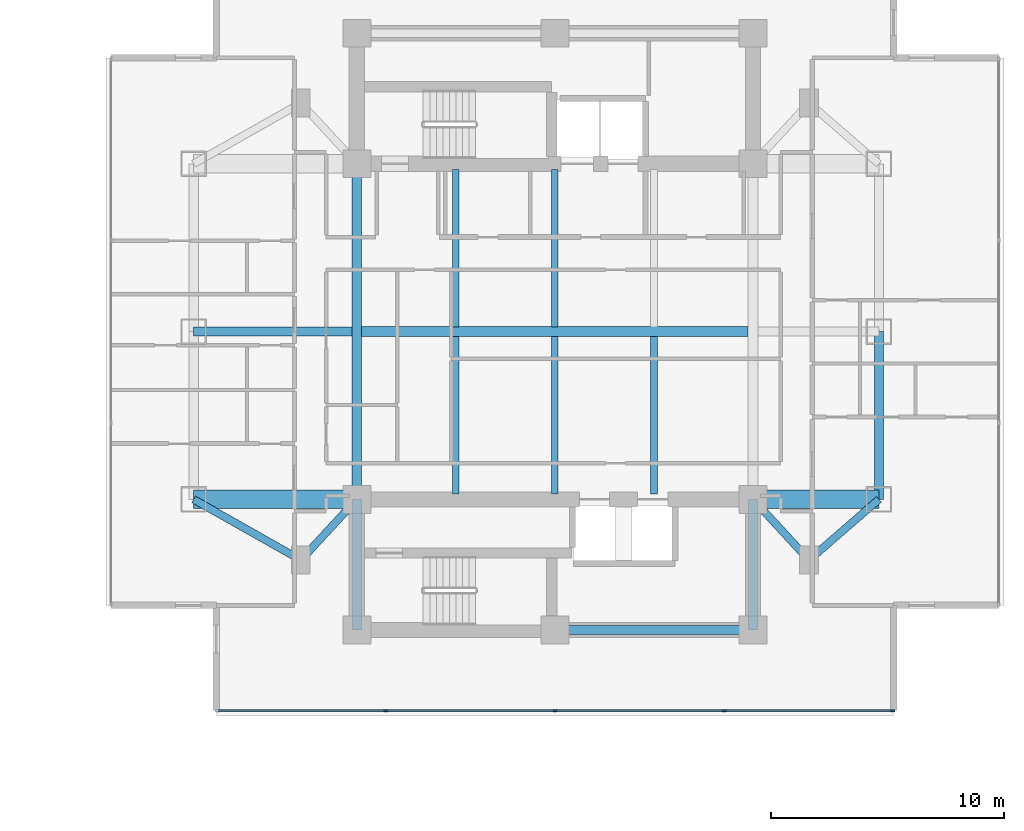
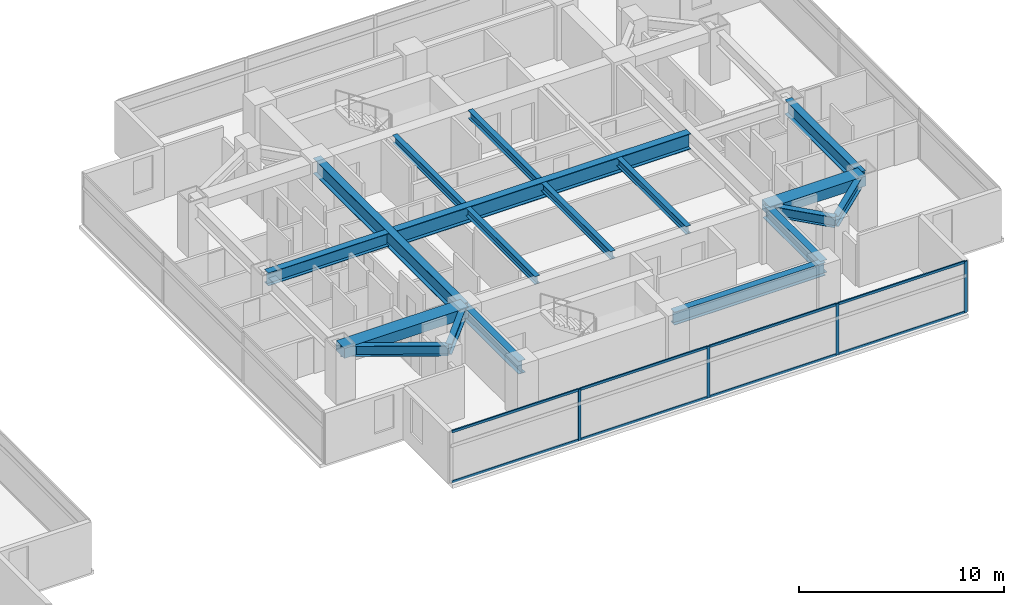
# One storey, part 9 of 26: 18 beams, 12 members, 1 element without a shape of its own.
"""IFC4 building model written with IfcOpenShell, lengths in metres."""

from ifc_helpers import new_model, si_unit, direction, frame, origin, origin_2d, place, context, subcontext, project, spatial, rectangle, i_section, extrude, material, material_profile, profile_set, type_object, element, aggregate, save


model = new_model("IFC4")

# Units and contexts
model_context = context("Model", 3, precision=1e-05, world=origin(), true_north=direction((0.0, 1.0)))
body_context = subcontext(model_context, "Body", "Model", "MODEL_VIEW")
ifc_project = project(units=[si_unit("LENGTHUNIT", "METRE"), si_unit("AREAUNIT", "SQUARE_METRE"), si_unit("VOLUMEUNIT", "CUBIC_METRE"), si_unit("PLANEANGLEUNIT", "RADIAN"), si_unit("MASSUNIT", "GRAM", prefix="KILO")], contexts=[model_context])

# Site, building, storey
site_placement = place(None, origin())
site = spatial("IfcSite", under=ifc_project, at=site_placement, CompositionType="ELEMENT")
building_placement = place(site_placement, origin())
building = spatial("IfcBuilding", under=site, at=building_placement, Name="Mirazonda Arch Towers", CompositionType="ELEMENT")
storey_placement = place(building_placement, frame((0.0, 0.0, 114.800048828125)))
storey = spatial("IfcBuildingStorey", under=building, at=storey_placement, Name="L32", CompositionType="ELEMENT", Elevation=114.800048828125)

# Beams
ifc_material_1 = material(Name="Steel ASTM A992 Grade 50", Category="steel")
ifc_material_profile_1 = material_profile(ifc_material_1, i_section(OverallWidth=0.39990234375, OverallDepth=0.85595703125, WebThickness=0.018310546875, FlangeThickness=0.029296875, at=origin_2d()), Name="W33X201")
ifc_profile_set_1 = profile_set([ifc_material_profile_1], Name="Steel ASTM A992 Grade 50")
beam_type_1 = type_object("IfcBeamType", Name="BM-EXT-W33X201", PredefinedType="USERDEFINED", material=ifc_profile_set_1)
beam_1_placement = place(storey_placement, frame((90.39990234375, 20.800048828125, 2.65185546875), z_axis=(0.0, 1.0, 0.0), x_axis=(-1.0, 0.0, 0.0)))
element("IfcBeam", 1, at=beam_1_placement, inside=storey, type_object=beam_type_1, Name="L32 Floor Beam BM-T2-L32-NS-E-20", ObjectType="GIRDER", PredefinedType="USERDEFINED", context=body_context, shape_type="SweptSolid", body=[
    extrude(i_section(OverallWidth=0.39990234375, OverallDepth=0.85595703125, WebThickness=0.018310546875, FlangeThickness=0.029296875, at=origin_2d()), origin(), (0.0, 0.0, 1.0), 7.199951171875),
])
ifc_material_profile_2 = material_profile(ifc_material_1, i_section(OverallWidth=0.280029296875, OverallDepth=0.462890625, WebThickness=0.0107421875, FlangeThickness=0.017333984375, at=origin_2d()), Name="W18X76")
ifc_profile_set_2 = profile_set([ifc_material_profile_2], Name="Steel ASTM A992 Grade 50")
beam_type_2 = type_object("IfcBeamType", Name="BM-INT-W18X76", PredefinedType="JOIST", material=ifc_profile_set_2)
for number, where, z_axis, x_axis, name in (
    (2, (72.25, 21.0400390625, 2.848388671875), (0.0, 1.0, 0.0), (-1.0, 0.0, 0.0), "L32 Floor Beam BM-T2-L32-J-722-20"),
    (3, (72.25, 28.205078125, 2.848388671875), (0.0, 1.0, 0.0), (-1.0, 0.0, 0.0), "L32 Floor Beam BM-T2-L32-J-722-28"),
    (4, (76.5, 21.0400390625, 2.848388671875), (0.0, 1.0, 0.0), (-1.0, 0.0, 0.0), "L32 Floor Beam BM-T2-L32-J-765-20"),
    (5, (76.5, 28.205078125, 2.848388671875), (0.0, 1.0, 0.0), (-1.0, 0.0, 0.0), "L32 Floor Beam BM-T2-L32-J-765-28"),
    (6, (80.75, 21.0400390625, 2.848388671875), (0.0, 1.0, 0.0), (-1.0, 0.0, 0.0), "L32 Floor Beam BM-T2-L32-J-807-20"),
):
    element("IfcBeam", number, at=place(storey_placement, frame(where, z_axis=z_axis, x_axis=x_axis)), inside=storey, type_object=beam_type_2, Name=name, PredefinedType="JOIST", context=body_context, shape_type="SweptSolid", body=[
        extrude(i_section(OverallWidth=0.280029296875, OverallDepth=0.462890625, WebThickness=0.0107421875, FlangeThickness=0.017333984375, at=origin_2d()), origin(), (0.0, 0.0, 1.0), 6.7548828125),
    ])
ifc_material_profile_3 = material_profile(ifc_material_1, i_section(OverallWidth=0.324951171875, OverallDepth=0.615966796875, WebThickness=0.013916015625, FlangeThickness=0.021484375, at=origin_2d()), Name="W24X117")
ifc_profile_set_3 = profile_set([ifc_material_profile_3], Name="Steel ASTM A992 Grade 50")
beam_type_3 = type_object("IfcBeamType", Name="BM-INT-W24X117", PredefinedType="BEAM", material=ifc_profile_set_3)
beam_2_placement = place(storey_placement, frame((65.60009765625, 18.199951171875, 2.77197265625), z_axis=(0.678251444854, 0.734829897019, 0.0), x_axis=(-0.734829897019, 0.678251444854, 0.0)))
element("IfcBeam", 7, at=beam_2_placement, inside=storey, type_object=beam_type_3, Name="L32 Floor Beam BM-T2-L32-PL-SW1", PredefinedType="BEAM", context=body_context, shape_type="SweptSolid", body=[
    extrude(i_section(OverallWidth=0.324951171875, OverallDepth=0.615966796875, WebThickness=0.013916015625, FlangeThickness=0.021484375, at=origin_2d()), origin(), (0.0, 0.0, 1.0), 3.538330078125),
])
beam_3_placement = place(storey_placement, frame((65.60009765625, 18.199951171875, 2.77197265625), z_axis=(-0.870559396632, 0.492063346467, 0.0), x_axis=(-0.492063346467, -0.870559396632, 0.0)))
element("IfcBeam", 8, at=beam_3_placement, inside=storey, type_object=beam_type_3, Name="L32 Floor Beam BM-T2-L32-PL-SW2", PredefinedType="BEAM", context=body_context, shape_type="SweptSolid", body=[
    extrude(i_section(OverallWidth=0.324951171875, OverallDepth=0.615966796875, WebThickness=0.013916015625, FlangeThickness=0.021484375, at=origin_2d()), origin(), (0.0, 0.0, 1.0), 5.2841796875),
])
beam_4_placement = place(storey_placement, frame((87.39990234375, 18.199951171875, 2.77197265625), z_axis=(-0.678251444854, 0.734829897019, 0.0), x_axis=(-0.734829897019, -0.678251444854, 0.0)))
element("IfcBeam", 9, at=beam_4_placement, inside=storey, type_object=beam_type_3, Name="L32 Floor Beam BM-T2-L32-PL-SE1", PredefinedType="BEAM", context=body_context, shape_type="SweptSolid", body=[
    extrude(i_section(OverallWidth=0.324951171875, OverallDepth=0.615966796875, WebThickness=0.013916015625, FlangeThickness=0.021484375, at=origin_2d()), origin(), (0.0, 0.0, 1.0), 3.538330078125),
])
beam_5_placement = place(storey_placement, frame((87.39990234375, 18.199951171875, 2.77197265625), z_axis=(0.755676908098, 0.654944585876, 0.0), x_axis=(-0.654944585876, 0.755676908098, 0.0)))
element("IfcBeam", 10, at=beam_5_placement, inside=storey, type_object=beam_type_3, Name="L32 Floor Beam BM-T2-L32-PL-SE2", PredefinedType="BEAM", context=body_context, shape_type="SweptSolid", body=[
    extrude(i_section(OverallWidth=0.324951171875, OverallDepth=0.615966796875, WebThickness=0.013916015625, FlangeThickness=0.021484375, at=origin_2d()), origin(), (0.0, 0.0, 1.0), 3.969970703125),
])
ifc_material_profile_4 = material_profile(ifc_material_1, i_section(OverallWidth=0.381103515625, OverallDepth=0.77294921875, WebThickness=0.0166015625, FlangeThickness=0.027099609375, at=origin_2d()), Name="W30X173")
ifc_profile_set_4 = profile_set([ifc_material_profile_4], Name="Steel ASTM A992 Grade 50")
beam_type_4 = type_object("IfcBeamType", Name="BM-INT-W30X173", PredefinedType="USERDEFINED", material=ifc_profile_set_4)
beam_6_placement = place(storey_placement, frame((76.5, 15.199951171875, 2.693359375), z_axis=(1.0, 0.0, 0.0), x_axis=(0.0, 1.0, 0.0)))
element("IfcBeam", 11, at=beam_6_placement, inside=storey, type_object=beam_type_4, Name="L32 Floor Beam BM-T2-L32-CS2", ObjectType="GIRDER", PredefinedType="USERDEFINED", context=body_context, shape_type="SweptSolid", body=[
    extrude(i_section(OverallWidth=0.381103515625, OverallDepth=0.77294921875, WebThickness=0.0166015625, FlangeThickness=0.027099609375, at=origin_2d()), origin(), (0.0, 0.0, 1.0), 8.5),
])
for number, where, z_axis, x_axis, name in (
    (12, (68.0, 15.199951171875, 2.693359375), (0.0, 1.0, 0.0), (-1.0, 0.0, 0.0), "L32 Floor Beam BM-T2-L32-CSW"),
    (13, (85.0, 15.199951171875, 2.693359375), (0.0, 1.0, 0.0), (-1.0, 0.0, 0.0), "L32 Floor Beam BM-T2-L32-CSE"),
):
    element("IfcBeam", number, at=place(storey_placement, frame(where, z_axis=z_axis, x_axis=x_axis)), inside=storey, type_object=beam_type_4, Name=name, ObjectType="GIRDER", PredefinedType="USERDEFINED", context=body_context, shape_type="SweptSolid", body=[
        extrude(i_section(OverallWidth=0.381103515625, OverallDepth=0.77294921875, WebThickness=0.0166015625, FlangeThickness=0.027099609375, at=origin_2d()), origin(), (0.0, 0.0, 1.0), 5.60009765625),
    ])
beam_7_placement = place(storey_placement, frame((61.0, 28.0, 2.693359375), z_axis=(1.0, 0.0, 0.0), x_axis=(0.0, 1.0, 0.0)))
element("IfcBeam", 14, at=beam_7_placement, inside=storey, type_object=beam_type_4, Name="L32 Floor Beam BM-T2-L32-GW2", ObjectType="GIRDER", PredefinedType="USERDEFINED", context=body_context, shape_type="SweptSolid", body=[
    extrude(i_section(OverallWidth=0.381103515625, OverallDepth=0.77294921875, WebThickness=0.0166015625, FlangeThickness=0.027099609375, at=origin_2d()), origin(), (0.0, 0.0, 1.0), 6.791015625),
])
ifc_material_profile_5 = material_profile(ifc_material_1, i_section(OverallWidth=0.41796875, OverallDepth=0.927001953125, WebThickness=0.019287109375, FlangeThickness=0.031982421875, at=origin_2d()), Name="W36X231")
ifc_profile_set_5 = profile_set([ifc_material_profile_5], Name="Steel ASTM A992 Grade 50")
beam_type_5 = type_object("IfcBeamType", Name="BM-INT-W36X231", PredefinedType="USERDEFINED", material=ifc_profile_set_5)
beam_8_placement = place(storey_placement, frame((68.208984375, 28.0, 2.616455078125), z_axis=(1.0, 0.0, 0.0), x_axis=(0.0, 1.0, 0.0)))
element("IfcBeam", 15, at=beam_8_placement, inside=storey, type_object=beam_type_5, Name="L32 Floor Beam BM-T2-L32-GC2", ObjectType="GIRDER", PredefinedType="USERDEFINED", context=body_context, shape_type="SweptSolid", body=[
    extrude(i_section(OverallWidth=0.41796875, OverallDepth=0.927001953125, WebThickness=0.019287109375, FlangeThickness=0.031982421875, at=origin_2d()), origin(), (0.0, 0.0, 1.0), 16.58203125),
])
beam_9_placement = place(storey_placement, frame((68.0, 20.800048828125, 2.616455078125), z_axis=(0.0, 1.0, 0.0), x_axis=(-1.0, 0.0, 0.0)))
element("IfcBeam", 16, at=beam_9_placement, inside=storey, type_object=beam_type_5, Name="L32 Floor Beam BM-T2-L32-NS-CW-FULL", ObjectType="GIRDER", PredefinedType="USERDEFINED", context=body_context, shape_type="SweptSolid", body=[
    extrude(i_section(OverallWidth=0.41796875, OverallDepth=0.927001953125, WebThickness=0.019287109375, FlangeThickness=0.031982421875, at=origin_2d()), origin(), (0.0, 0.0, 1.0), 14.39990234375),
])
ifc_material_2 = material(Name="Concrete C60/75", Category="concrete")
ifc_material_profile_6 = material_profile(ifc_material_2, rectangle(XDim=0.800048828125, YDim=0.60009765625, at=origin_2d()), Name="RCCB800x600")
ifc_profile_set_6 = profile_set([ifc_material_profile_6], Name="Concrete C60/75")
beam_type_6 = type_object("IfcBeamType", Name="CB-INT-RCCB800x600", PredefinedType="SPANDREL", material=ifc_profile_set_6)
beam_10_placement = place(storey_placement, frame((61.0, 20.800048828125, 2.780029296875), z_axis=(1.0, 0.0, 0.0), x_axis=(0.0, 1.0, 0.0)))
element("IfcBeam", 17, at=beam_10_placement, inside=storey, type_object=beam_type_6, Name="L32 Floor Beam CBC-T2-L32-SW", PredefinedType="SPANDREL", context=body_context, shape_type="SweptSolid", body=[
    extrude(rectangle(XDim=0.800048828125, YDim=0.60009765625, at=origin_2d()), origin(), (0.0, 0.0, 1.0), 7.0),
])
beam_11_placement = place(storey_placement, frame((85.0, 20.800048828125, 2.780029296875), z_axis=(1.0, 0.0, 0.0), x_axis=(0.0, 1.0, 0.0)))
element("IfcBeam", 18, at=beam_11_placement, inside=storey, type_object=beam_type_6, Name="L32 Floor Beam CBC-T2-L32-SE", PredefinedType="SPANDREL", context=body_context, shape_type="SweptSolid", body=[
    extrude(rectangle(XDim=0.800048828125, YDim=0.60009765625, at=origin_2d()), origin(), (0.0, 0.0, 1.0), 5.39990234375),
])

# Curtain wall, members
ifc_material_3 = material(Name="Anodised Aluminium and Low-E Glass", Category="aluminium")
curtain_wall_type = type_object("IfcCurtainWallType", Name="CW-HTL-UNIT", PredefinedType="NOTDEFINED", material=ifc_material_3)
curtain_wall_placement = place(storey_placement, origin())
curtain_wall = element("IfcCurtainWall", 19, at=curtain_wall_placement, inside=storey, type_object=curtain_wall_type, Name="L32 T2 S Facade CW-L32-T2-S", PredefinedType="NOTDEFINED")
ifc_material_4 = material(Name="Anodised Aluminium Alloy", Category="aluminium")
ifc_material_profile_7 = material_profile(ifc_material_4, rectangle(XDim=0.074951171875, YDim=0.1650390625, at=origin_2d()), Name="ALU-MULL-75x165")
ifc_profile_set_7 = profile_set([ifc_material_profile_7], Name="Anodised Aluminium Alloy")
member_type_1 = type_object("IfcMemberType", Name="MULL-CW-HTL-UNIT", PredefinedType="MULLION", material=ifc_profile_set_7)
member_1_placement = place(storey_placement, frame((90.99267578125, 11.736083984375, 0.0), z_axis=(0.0, 0.0, 1.0), x_axis=(0.0, -1.0, 0.0)))
member_1 = element("IfcMember", 20, at=member_1_placement, type_object=member_type_1, Name="CW-112 mullion 1", PredefinedType="MULLION", context=body_context, shape_type="SweptSolid", body=[
    extrude(rectangle(XDim=0.074951171875, YDim=0.1650390625, at=origin_2d()), origin(), (0.0, 0.0, 1.0), 3.06005859375),
])
member_2_placement = place(storey_placement, frame((83.76513671875, 11.736083984375, 0.0), z_axis=(0.0, 0.0, 1.0), x_axis=(0.0, -1.0, 0.0)))
member_2 = element("IfcMember", 21, at=member_2_placement, type_object=member_type_1, Name="CW-112 mullion 2", PredefinedType="MULLION", context=body_context, shape_type="SweptSolid", body=[
    extrude(rectangle(XDim=0.074951171875, YDim=0.1650390625, at=origin_2d()), origin(), (0.0, 0.0, 1.0), 3.06005859375),
])
member_3_placement = place(storey_placement, frame((76.5, 11.736083984375, 0.0), z_axis=(0.0, 0.0, 1.0), x_axis=(0.0, -1.0, 0.0)))
member_3 = element("IfcMember", 22, at=member_3_placement, type_object=member_type_1, Name="CW-112 mullion 3", PredefinedType="MULLION", context=body_context, shape_type="SweptSolid", body=[
    extrude(rectangle(XDim=0.074951171875, YDim=0.1650390625, at=origin_2d()), origin(), (0.0, 0.0, 1.0), 3.06005859375),
])
member_4_placement = place(storey_placement, frame((69.23486328125, 11.736083984375, 0.0), z_axis=(0.0, 0.0, 1.0), x_axis=(0.0, -1.0, 0.0)))
member_4 = element("IfcMember", 23, at=member_4_placement, type_object=member_type_1, Name="CW-112 mullion 4", PredefinedType="MULLION", context=body_context, shape_type="SweptSolid", body=[
    extrude(rectangle(XDim=0.074951171875, YDim=0.1650390625, at=origin_2d()), origin(), (0.0, 0.0, 1.0), 3.06005859375),
])
ifc_material_profile_8 = material_profile(ifc_material_4, rectangle(XDim=0.074951171875, YDim=0.14501953125, at=origin_2d()), Name="ALU-TRAN-75x145")
ifc_profile_set_8 = profile_set([ifc_material_profile_8], Name="Anodised Aluminium Alloy")
member_type_2 = type_object("IfcMemberType", Name="TRAN-CW-HTL-UNIT", PredefinedType="USERDEFINED", material=ifc_profile_set_8)
member_5_placement = place(storey_placement, frame((90.955078125, 11.736083984375, 0.037353515625), z_axis=(-1.0, 0.0, 0.0), x_axis=(0.0, -1.0, 0.0)))
member_5 = element("IfcMember", 24, at=member_5_placement, type_object=member_type_2, Name="CW-112 transom 1.1", ObjectType="TRANSOM", PredefinedType="USERDEFINED", context=body_context, shape_type="SweptSolid", body=[
    extrude(rectangle(XDim=0.074951171875, YDim=0.14501953125, at=origin_2d()), origin(), (0.0, 0.0, 1.0), 7.152587890625),
])
member_6_placement = place(storey_placement, frame((90.955078125, 11.736083984375, 3.0224609375), z_axis=(-1.0, 0.0, 0.0), x_axis=(0.0, -1.0, 0.0)))
member_6 = element("IfcMember", 25, at=member_6_placement, type_object=member_type_2, Name="CW-112 transom 1.2", ObjectType="TRANSOM", PredefinedType="USERDEFINED", context=body_context, shape_type="SweptSolid", body=[
    extrude(rectangle(XDim=0.074951171875, YDim=0.14501953125, at=origin_2d()), origin(), (0.0, 0.0, 1.0), 7.152587890625),
])
member_7_placement = place(storey_placement, frame((83.7275390625, 11.736083984375, 0.037353515625), z_axis=(-1.0, 0.0, 0.0), x_axis=(0.0, -1.0, 0.0)))
member_7 = element("IfcMember", 26, at=member_7_placement, type_object=member_type_2, Name="CW-112 transom 2.1", ObjectType="TRANSOM", PredefinedType="USERDEFINED", context=body_context, shape_type="SweptSolid", body=[
    extrude(rectangle(XDim=0.074951171875, YDim=0.14501953125, at=origin_2d()), origin(), (0.0, 0.0, 1.0), 7.18994140625),
])
member_8_placement = place(storey_placement, frame((83.7275390625, 11.736083984375, 3.0224609375), z_axis=(-1.0, 0.0, 0.0), x_axis=(0.0, -1.0, 0.0)))
member_8 = element("IfcMember", 27, at=member_8_placement, type_object=member_type_2, Name="CW-112 transom 2.2", ObjectType="TRANSOM", PredefinedType="USERDEFINED", context=body_context, shape_type="SweptSolid", body=[
    extrude(rectangle(XDim=0.074951171875, YDim=0.14501953125, at=origin_2d()), origin(), (0.0, 0.0, 1.0), 7.18994140625),
])
member_9_placement = place(storey_placement, frame((76.46240234375, 11.736083984375, 0.037353515625), z_axis=(-1.0, 0.0, 0.0), x_axis=(0.0, -1.0, 0.0)))
member_9 = element("IfcMember", 28, at=member_9_placement, type_object=member_type_2, Name="CW-112 transom 3.1", ObjectType="TRANSOM", PredefinedType="USERDEFINED", context=body_context, shape_type="SweptSolid", body=[
    extrude(rectangle(XDim=0.074951171875, YDim=0.14501953125, at=origin_2d()), origin(), (0.0, 0.0, 1.0), 7.18994140625),
])
member_10_placement = place(storey_placement, frame((76.46240234375, 11.736083984375, 3.0224609375), z_axis=(-1.0, 0.0, 0.0), x_axis=(0.0, -1.0, 0.0)))
member_10 = element("IfcMember", 29, at=member_10_placement, type_object=member_type_2, Name="CW-112 transom 3.2", ObjectType="TRANSOM", PredefinedType="USERDEFINED", context=body_context, shape_type="SweptSolid", body=[
    extrude(rectangle(XDim=0.074951171875, YDim=0.14501953125, at=origin_2d()), origin(), (0.0, 0.0, 1.0), 7.18994140625),
])
member_11_placement = place(storey_placement, frame((69.197509765625, 11.736083984375, 0.037353515625), z_axis=(-1.0, 0.0, 0.0), x_axis=(0.0, -1.0, 0.0)))
member_11 = element("IfcMember", 30, at=member_11_placement, type_object=member_type_2, Name="CW-112 transom 4.1", ObjectType="TRANSOM", PredefinedType="USERDEFINED", context=body_context, shape_type="SweptSolid", body=[
    extrude(rectangle(XDim=0.074951171875, YDim=0.14501953125, at=origin_2d()), origin(), (0.0, 0.0, 1.0), 7.152587890625),
])
member_12_placement = place(storey_placement, frame((69.197509765625, 11.736083984375, 3.0224609375), z_axis=(-1.0, 0.0, 0.0), x_axis=(0.0, -1.0, 0.0)))
member_12 = element("IfcMember", 31, at=member_12_placement, type_object=member_type_2, Name="CW-112 transom 4.2", ObjectType="TRANSOM", PredefinedType="USERDEFINED", context=body_context, shape_type="SweptSolid", body=[
    extrude(rectangle(XDim=0.074951171875, YDim=0.14501953125, at=origin_2d()), origin(), (0.0, 0.0, 1.0), 7.152587890625),
])
aggregate(curtain_wall, [member_1, member_2, member_3, member_4, member_5, member_6, member_7, member_8, member_9, member_10, member_11, member_12])

save(model, "model.ifc")
